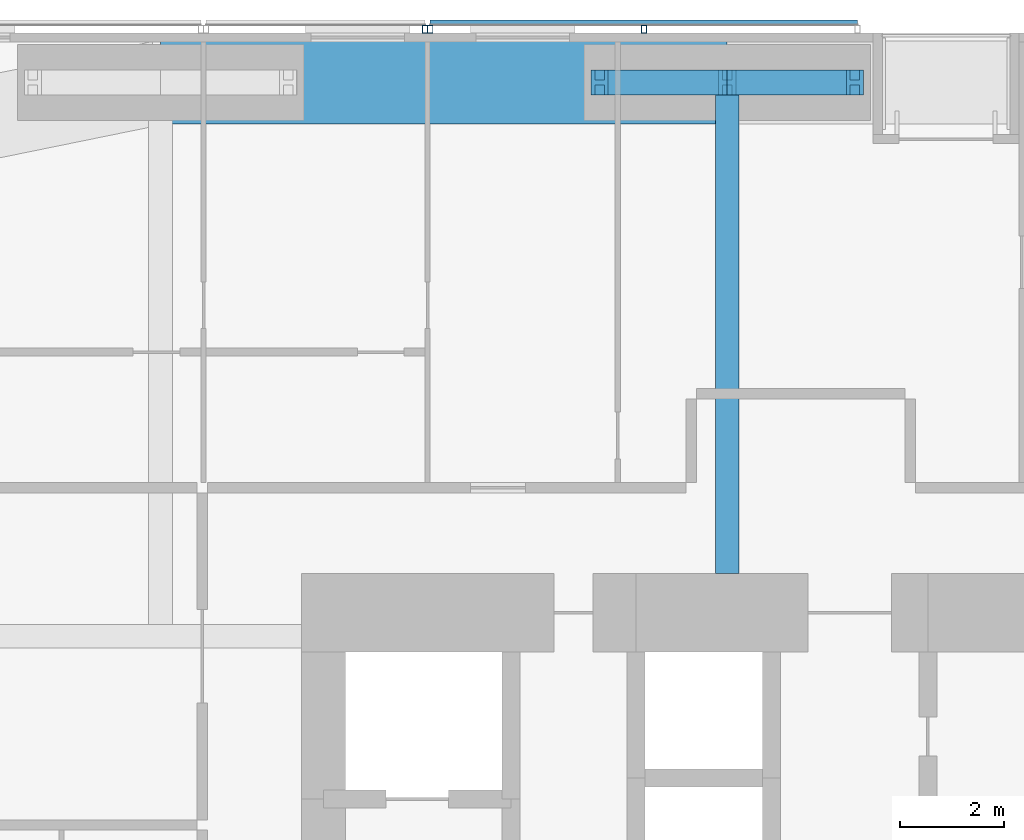
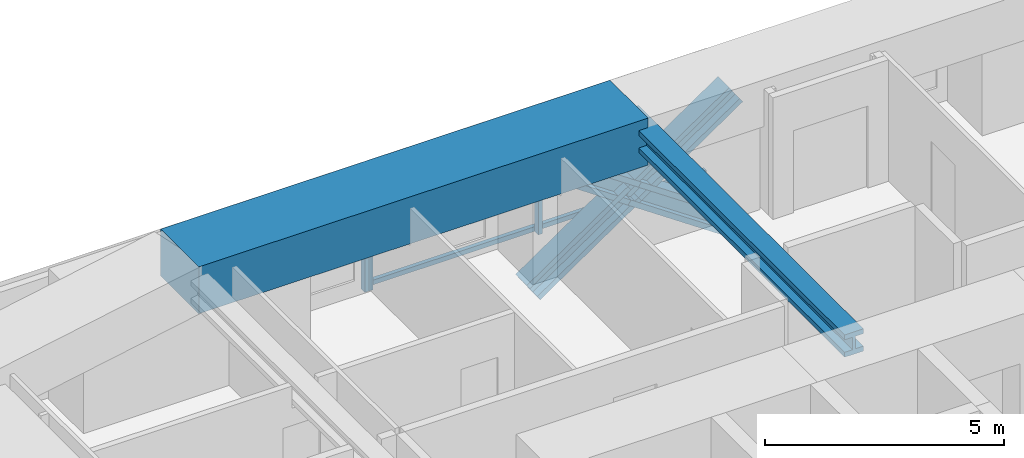
# One storey, part 12 of 23: 8 members, 2 beams, 2 elements without a shape of their own.
"""IFC4 building model written with IfcOpenShell, lengths in metres."""

from ifc_helpers import new_model, si_unit, direction, frame, origin, origin_2d, place, context, subcontext, project, spatial, rectangle, hollow_rectangle, i_section, extrude, material, material_profile, profile_set, type_object, element, aggregate, save


model = new_model("IFC4")

# Units and contexts
model_context = context("Model", 3, precision=1e-05, world=origin(), true_north=direction((0.0, 1.0)))
body_context = subcontext(model_context, "Body", "Model", "MODEL_VIEW")
ifc_project = project(units=[si_unit("LENGTHUNIT", "METRE"), si_unit("AREAUNIT", "SQUARE_METRE"), si_unit("VOLUMEUNIT", "CUBIC_METRE"), si_unit("PLANEANGLEUNIT", "RADIAN"), si_unit("MASSUNIT", "GRAM", prefix="KILO")], contexts=[model_context])

# Site, building, storey
site_placement = place(None, origin())
site = spatial("IfcSite", under=ifc_project, at=site_placement, CompositionType="ELEMENT")
building_placement = place(site_placement, origin())
building = spatial("IfcBuilding", under=site, at=building_placement, Name="Jalousie Tower", CompositionType="ELEMENT")
storey_placement = place(building_placement, frame((0.0, 0.0, 111.550048828125)))
storey = spatial("IfcBuildingStorey", under=building, at=storey_placement, Name="L30", CompositionType="ELEMENT", Elevation=111.550048828125)

# Beam
ifc_material_1 = material(Name="Steel ASTM A992 Grade 50", Category="steel")
ifc_material_profile_1 = material_profile(ifc_material_1, i_section(OverallWidth=0.45458984375, OverallDepth=0.569091796875, WebThickness=0.077880859375, FlangeThickness=0.124755859375, at=origin_2d()), Name="W14X730")
ifc_profile_set_1 = profile_set([ifc_material_profile_1], Name="Steel ASTM A992 Grade 50")
beam_type_1 = type_object("IfcBeamType", Name="LEAN COLLECTOR W14X730", PredefinedType="BEAM", material=ifc_profile_set_1)
beam_1_placement = place(storey_placement, frame((27.75, 37.050048828125, 2.825439453125), z_axis=(0.0, -1.0, 0.0), x_axis=(1.0, 0.0, 0.0)))
element("IfcBeam", 1, at=beam_1_placement, inside=storey, type_object=beam_type_1, Name="Lean collector under L31", PredefinedType="BEAM", context=body_context, shape_type="SweptSolid", body=[
    extrude(i_section(OverallWidth=0.45458984375, OverallDepth=0.569091796875, WebThickness=0.077880859375, FlangeThickness=0.124755859375, at=origin_2d()), origin(), (0.0, 0.0, 1.0), 9.425048828125),
])

# Members
ifc_material_2 = material(Name="Steel ASTM A992 Grade 50", Category="steel")
ifc_material_profile_2 = material_profile(ifc_material_2, i_section(OverallWidth=0.472412109375, OverallDepth=0.5791015625, WebThickness=0.094970703125, FlangeThickness=0.1298828125, at=origin_2d()), Name="W14X808")
ifc_profile_set_2 = profile_set([ifc_material_profile_2], Name="Steel ASTM A992 Grade 50")
member_type_1 = type_object("IfcMemberType", Name="PERIMETER BRACE W14X808", PredefinedType="BRACE", material=ifc_profile_set_2)
for number, where, z_axis, x_axis, name in (
    (2, (25.300048828125, 37.050048828125, -0.60009765625), (0.825500916831, 0.0, 0.564400776321), (0.0, 1.0, 0.0), "Perimeter brace 10 L30 part 1"),
    (3, (27.75, 37.050048828125, 1.074951171875), (0.825500916831, 0.0, 0.564400776321), (0.0, 1.0, 0.0), "Perimeter brace 10 L30 part 2"),
    (4, (30.199951171875, 37.050048828125, -0.60009765625), (-0.825500916831, 0.0, 0.564400776321), (0.0, -1.0, 0.0), "Perimeter brace 10 L30 part 3"),
    (5, (27.75, 37.050048828125, 1.074951171875), (-0.825500916831, 0.0, 0.564400776321), (0.0, -1.0, 0.0), "Perimeter brace 10 L30 part 4"),
):
    element("IfcMember", number, at=place(storey_placement, frame(where, z_axis=z_axis, x_axis=x_axis)), inside=storey, type_object=member_type_1, Name=name, PredefinedType="BRACE", context=body_context, shape_type="SweptSolid", body=[
        extrude(i_section(OverallWidth=0.472412109375, OverallDepth=0.5791015625, WebThickness=0.094970703125, FlangeThickness=0.1298828125, at=origin_2d()), origin(), (0.0, 0.0, 1.0), 2.9677734375),
    ])

# Beam
ifc_material_3 = material(Name="Concrete f'c 40 MPa", Category="concrete")
ifc_material_profile_3 = material_profile(ifc_material_3, rectangle(XDim=1.60009765625, YDim=1.199951171875, at=origin_2d()), Name="RC 1600x1200")
ifc_profile_set_3 = profile_set([ifc_material_profile_3], Name="Concrete f'c 40 MPa")
beam_type_2 = type_object("IfcBeamType", Name="RC BEAM 1600x1200", PredefinedType="BEAM", material=ifc_profile_set_3)
beam_2_placement = place(storey_placement, frame((27.75, 37.050048828125, 2.75), z_axis=(-1.0, 0.0, 0.0), x_axis=(0.0, -1.0, 0.0)))
element("IfcBeam", 6, at=beam_2_placement, inside=storey, type_object=beam_type_2, Name="Edge band beam 10-11 under L31", PredefinedType="BEAM", context=body_context, shape_type="SweptSolid", body=[
    extrude(rectangle(XDim=1.60009765625, YDim=1.199951171875, at=origin_2d()), origin(), (0.0, 0.0, 1.0), 10.875),
])

# Curtain wall, members
ifc_material_4 = material(Name="Perforated aluminium sheet", Category="aluminium")
curtain_wall_type = type_object("IfcCurtainWallType", Name="SOLAR SCREEN SS-1", PredefinedType="USERDEFINED", material=ifc_material_4)
curtain_wall_1_placement = place(storey_placement, origin())
curtain_wall_1 = element("IfcCurtainWall", 7, at=curtain_wall_1_placement, inside=storey, type_object=curtain_wall_type, Name="Solar screen L30", ObjectType="SOLAR SCREEN SS-1", PredefinedType="USERDEFINED")
ifc_material_5 = material(Name="Steel ASTM A500 Grade C", Category="steel")
ifc_material_profile_4 = material_profile(ifc_material_5, hollow_rectangle(XDim=0.1015625, YDim=0.15234375, WallThickness=0.00634765625, at=origin_2d()), Name="HSS6X4X1/4")
ifc_profile_set_4 = profile_set([ifc_material_profile_4], Name="Steel ASTM A500 Grade C")
member_type_2 = type_object("IfcMemberType", Name="SOLAR SCREEN SS-1 MULLION", PredefinedType="MULLION", material=ifc_profile_set_4)
member_1_placement = place(storey_placement, frame((26.150390625, 38.0712890625, -0.1201171875), z_axis=(0.0, 0.0, 1.0), x_axis=(-1.0, 0.0, 0.0)))
member_1 = element("IfcMember", 8, at=member_1_placement, type_object=member_type_2, Name="SS1 post 2", PredefinedType="MULLION", context=body_context, shape_type="SweptSolid", body=[
    extrude(hollow_rectangle(XDim=0.1015625, YDim=0.15234375, WallThickness=0.00634765625, at=origin_2d()), origin(), (0.0, 0.0, 1.0), 3.22998046875),
])
member_2_placement = place(storey_placement, frame((22.050048828125, 38.0712890625, -0.1201171875), z_axis=(0.0, 0.0, 1.0), x_axis=(-1.0, 0.0, 0.0)))
member_2 = element("IfcMember", 9, at=member_2_placement, type_object=member_type_2, Name="SS1 post 3", PredefinedType="MULLION", context=body_context, shape_type="SweptSolid", body=[
    extrude(hollow_rectangle(XDim=0.1015625, YDim=0.15234375, WallThickness=0.00634765625, at=origin_2d()), origin(), (0.0, 0.0, 1.0), 3.22998046875),
])

# Curtain wall, member
curtain_wall_2_placement = place(storey_placement, origin())
curtain_wall_2 = element("IfcCurtainWall", 10, at=curtain_wall_2_placement, inside=storey, type_object=curtain_wall_type, Name="Solar screen L30", ObjectType="SOLAR SCREEN SS-1", PredefinedType="USERDEFINED")
member_3_placement = place(storey_placement, frame((21.949951171875, 38.0712890625, -0.1201171875), z_axis=(0.0, 0.0, 1.0), x_axis=(-1.0, 0.0, 0.0)))
member_3 = element("IfcMember", 11, at=member_3_placement, type_object=member_type_2, Name="SS1 post 1", PredefinedType="MULLION", context=body_context, shape_type="SweptSolid", body=[
    extrude(hollow_rectangle(XDim=0.1015625, YDim=0.15234375, WallThickness=0.00634765625, at=origin_2d()), origin(), (0.0, 0.0, 1.0), 3.22998046875),
])
aggregate(curtain_wall_2, [member_3])

# Member
ifc_material_6 = material(Name="Extruded aluminium screen rail", Category="aluminium")
ifc_material_profile_5 = material_profile(ifc_material_6, rectangle(XDim=0.1015625, YDim=0.1201171875, at=origin_2d()), Name="RAIL 102x120")
ifc_profile_set_5 = profile_set([ifc_material_profile_5], Name="Extruded aluminium screen rail")
member_type_3 = type_object("IfcMemberType", Name="SOLAR SCREEN SS-1 TRANSOM", PredefinedType="USERDEFINED", material=ifc_profile_set_5)
member_4_placement = place(storey_placement, frame((30.25048828125, 38.1982421875, -0.06005859375), z_axis=(-1.0, 0.0, 0.0), x_axis=(0.0, -1.0, 0.0)))
member_4 = element("IfcMember", 12, at=member_4_placement, type_object=member_type_3, Name="SS1 rail", ObjectType="TRANSOM", PredefinedType="USERDEFINED", context=body_context, shape_type="SweptSolid", body=[
    extrude(rectangle(XDim=0.1015625, YDim=0.1201171875, at=origin_2d()), origin(), (0.0, 0.0, 1.0), 8.200439453125),
])

aggregate(curtain_wall_1, [member_1, member_2, member_4])

save(model, "model.ifc")
